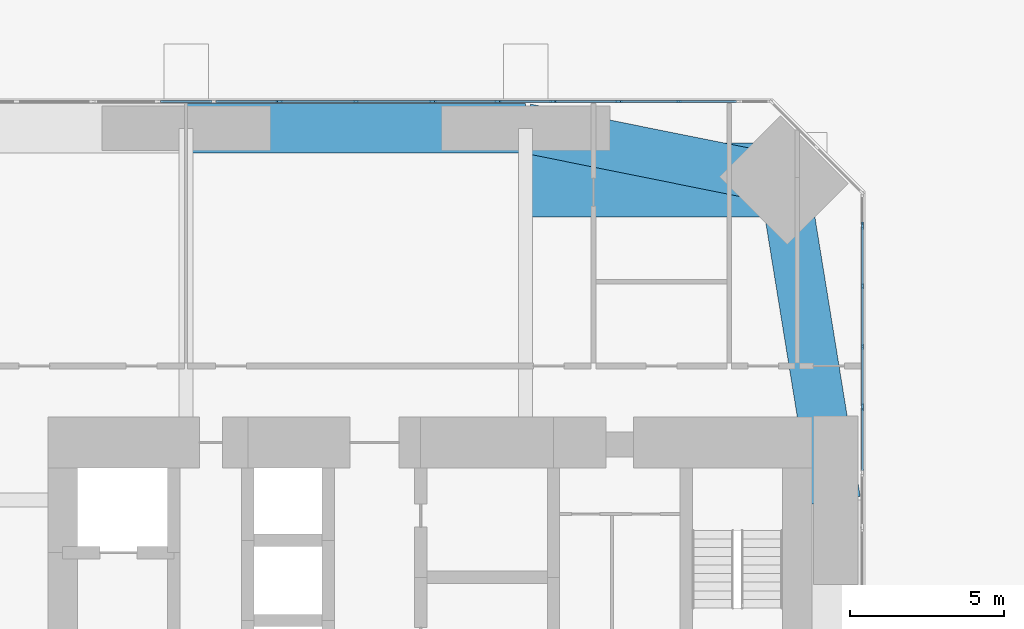
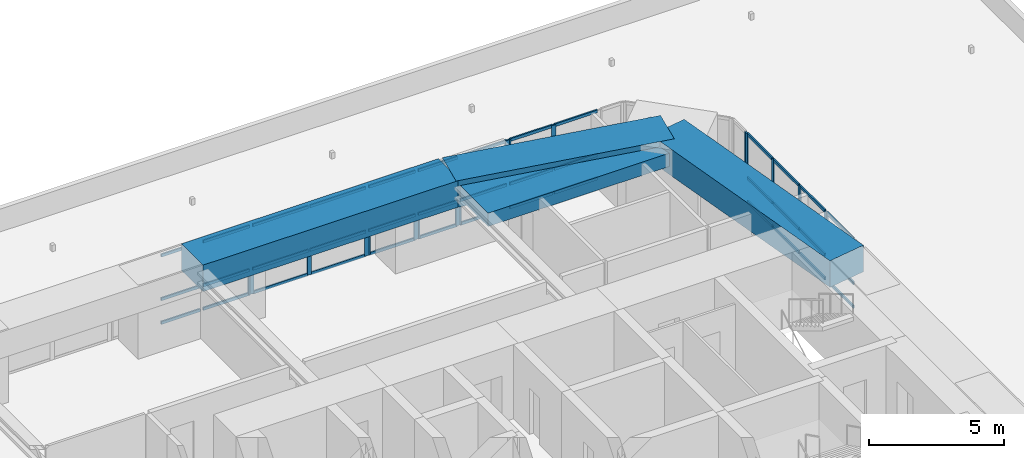
# One storey, part 6 of 20: 57 members, 4 beams, 10 elements without a shape of their own.
"""IFC4 building model written with IfcOpenShell, lengths in metres."""

import ifcopenshell
import ifcopenshell.guid

model = None  # the IFC model being written
_history = None  # IfcOwnerHistory: only IFC2X3 demands one
_inside = {}  # id of a spatial element -> (the spatial element, [elements in it])
_under = {}  # id of a project, library or spatial element -> (it, [spatial elements below it])
_declared = {}  # id of a project -> (the project, [libraries it declares])
_typed = {}  # id of a type object -> (the type object, [elements of that type])
_made_of = {}  # id of a material, layer set ... -> (it, [elements and type objects made of it])


def new_model(schema):
    """Start an empty IFC model of exactly this schema.

    Asked for "IFC4X3", IfcOpenShell would pick the latest addendum, in which some entities
    have other attributes; the version numbers below select the first issue.
    IFC2X3 requires an IfcOwnerHistory on every rooted entity: one is made here for all.
    """
    global model, _history
    if schema == "IFC4X3":
        model = ifcopenshell.file(schema_version=(4, 3, 0, 0))
    else:
        model = ifcopenshell.file(schema=schema)
    _inside.clear()
    _under.clear()
    _declared.clear()
    _typed.clear()
    _made_of.clear()
    _history = None
    if model.schema == "IFC2X3":
        org = make("IfcOrganization", Name="unknown")
        user = make(
            "IfcPersonAndOrganization",
            ThePerson=make("IfcPerson", FamilyName="unknown"),
            TheOrganization=org,
        )
        app = make(
            "IfcApplication",
            ApplicationDeveloper=org,
            Version="unknown",
            ApplicationFullName="unknown",
            ApplicationIdentifier="unknown",
        )
        _history = make(
            "IfcOwnerHistory",
            OwningUser=user,
            OwningApplication=app,
            ChangeAction="ADDED",
            CreationDate=0,
        )
    return model


def make(cls, **values):
    """One entity of the class cls with the attributes given. An attribute that is None is left unset."""
    return model.create_entity(
        cls, **{name: value for name, value in values.items() if value is not None}
    )


def rooted(cls, **values):
    """An entity with a GlobalId (a new one), such as an element, a storey or a relation."""
    return make(cls, GlobalId=ifcopenshell.guid.new(), OwnerHistory=_history, **values)


def si_unit(unit_type, name, prefix=None):
    """IfcSIUnit, for example si_unit("LENGTHUNIT", "METRE", prefix="MILLI")."""
    return make("IfcSIUnit", UnitType=unit_type, Prefix=prefix, Name=name)


def assignment(units):
    """IfcUnitAssignment: the units of a project."""
    return None if units is None else make("IfcUnitAssignment", Units=units)


def point(xyz):
    """IfcCartesianPoint."""
    return None if xyz is None else make("IfcCartesianPoint", Coordinates=xyz)


def direction(xyz):
    """IfcDirection."""
    return None if xyz is None else make("IfcDirection", DirectionRatios=xyz)


def frame(location, z_axis=None, x_axis=None):
    """IfcAxis2Placement3D, a coordinate frame: its origin and axes. An axis left out is left unset."""
    return make(
        "IfcAxis2Placement3D",
        Location=point(location),
        Axis=direction(z_axis),
        RefDirection=direction(x_axis),
    )


def frame_2d(location, x_axis=None):
    """IfcAxis2Placement2D, a coordinate frame in the plane: its origin and x axis."""
    return make(
        "IfcAxis2Placement2D", Location=point(location), RefDirection=direction(x_axis)
    )


def origin():
    """The frame at (0, 0, 0) with its axes left unset."""
    return frame((0.0, 0.0, 0.0))


def origin_2d():
    """The frame at (0, 0) in the plane with its x axis left unset."""
    return frame_2d((0.0, 0.0))


def place(relative_to, where):
    """IfcLocalPlacement: puts the frame where relative to a parent placement (None: the world)."""
    return make(
        "IfcLocalPlacement", PlacementRelTo=relative_to, RelativePlacement=where
    )


def context(
    kind, dimensions, precision=None, world=None, true_north=None, identifier=None
):
    """IfcGeometricRepresentationContext, for example the 3D "Model" context."""
    return make(
        "IfcGeometricRepresentationContext",
        ContextIdentifier=identifier,
        ContextType=kind,
        CoordinateSpaceDimension=dimensions,
        Precision=precision,
        WorldCoordinateSystem=world,
        TrueNorth=true_north,
    )


def subcontext(parent, identifier, kind, view, scale=None):
    """IfcGeometricRepresentationSubContext, for example "Body" below "Model"."""
    return make(
        "IfcGeometricRepresentationSubContext",
        ContextIdentifier=identifier,
        ContextType=kind,
        ParentContext=parent,
        TargetScale=scale,
        TargetView=view,
    )


def project(units=None, contexts=None):
    """IfcProject with its units and contexts."""
    return rooted(
        "IfcProject",
        Name="project",
        RepresentationContexts=contexts,
        UnitsInContext=assignment(units),
    )


def spatial(cls, under=None, at=None, **own):
    """A site, building, storey or space (cls), placed at a placement, below another one or the project."""
    s = rooted(cls, ObjectPlacement=at, **own)
    if under is not None:
        _under.setdefault(under.id(), (under, []))[1].append(s)
    return s


def profile(cls, at=None, kind="AREA", **sizes):
    """A parametric profile (cls). Its sizes go by their IFC names, for example OverallWidth=200.0."""
    return make(cls, ProfileType=kind, Position=at, **sizes)


def rectangle(**sizes):
    """IfcRectangleProfileDef."""
    return profile("IfcRectangleProfileDef", **sizes)


def extrude(swept, where, along, depth):
    """IfcExtrudedAreaSolid: the profile swept, set in the frame where, extruded along a direction by depth."""
    return make(
        "IfcExtrudedAreaSolid",
        SweptArea=swept,
        Position=where,
        ExtrudedDirection=direction(along),
        Depth=depth,
    )


def shape(context_of_items, identifier, shape_type, items):
    """IfcShapeRepresentation: the items that make up one representation, for example the "Body"."""
    return make(
        "IfcShapeRepresentation",
        ContextOfItems=context_of_items,
        RepresentationIdentifier=identifier,
        RepresentationType=shape_type,
        Items=items,
    )


def material(Name=None, Category=None):
    """IfcMaterial."""
    return make("IfcMaterial", Name=Name, Category=Category)


def material_profile(
    of_material, cross_section, Name=None, Category=None, Priority=None
):
    """IfcMaterialProfile: a cross section and its material."""
    return make(
        "IfcMaterialProfile",
        Name=Name,
        Material=of_material,
        Profile=cross_section,
        Priority=Priority,
        Category=Category,
    )


def profile_set(profiles, Name=None, composite=None):
    """IfcMaterialProfileSet."""
    return make(
        "IfcMaterialProfileSet",
        Name=Name,
        MaterialProfiles=profiles,
        CompositeProfile=composite,
    )


def made_of(thing, what):
    """Note that an element or type object is made of a material, layer set ...; save() writes the relation."""
    if what is not None:
        _made_of.setdefault(what.id(), (what, []))[1].append(thing)
    return thing


def type_object(cls, material=None, **own):
    """A type object (cls), such as IfcWallType, which elements share."""
    return made_of(rooted(cls, **own), material)


def element(
    cls,
    number,
    at=None,
    inside=None,
    cuts=None,
    type_object=None,
    material=None,
    context=None,
    identifier="Body",
    shape_type=None,
    held_by="IfcProductDefinitionShape",
    body=None,
    shapes=None,
    **own,
):
    """One element of the class cls, such as IfcWall. Its Tag is "e" and its number.

    at: its placement. inside: the storey or other place that contains it. cuts: it is an
    opening in that element (IfcRelVoidsElement). A single representation is given by context,
    identifier, shape_type and body (its items); several are given by shapes. held_by: the class
    of the entity that holds the representations. save() writes the other relations.
    """
    e = rooted(cls, Tag="e%d" % number, ObjectPlacement=at, **own)
    if body is not None:
        shapes = [shape(context, identifier, shape_type, body)]
    if shapes is not None:
        e.Representation = make(held_by, Representations=shapes)
    if inside is not None:
        _inside.setdefault(inside.id(), (inside, []))[1].append(e)
    if cuts is not None:
        rooted(
            "IfcRelVoidsElement", RelatingBuildingElement=cuts, RelatedOpeningElement=e
        )
    if type_object is not None:
        _typed.setdefault(type_object.id(), (type_object, []))[1].append(e)
    return made_of(e, material)


def aggregate(whole, parts):
    """IfcRelAggregates: a whole, such as a stair, and the parts it consists of."""
    return rooted("IfcRelAggregates", RelatingObject=whole, RelatedObjects=parts)


def save(model, path):
    """Write the relations noted so far, then the file.

    IfcRelAggregates (storeys below a building ...), IfcRelContainedInSpatialStructure (elements
    in a storey), IfcRelDefinesByType, IfcRelAssociatesMaterial and IfcRelDeclares: one each for
    every whole, place, type object, material and project.
    """
    for whole, parts in _under.values():
        aggregate(whole, parts)
    for where, things in _inside.values():
        rooted(
            "IfcRelContainedInSpatialStructure",
            RelatedElements=things,
            RelatingStructure=where,
        )
    for kind, things in _typed.values():
        rooted("IfcRelDefinesByType", RelatedObjects=things, RelatingType=kind)
    for what, things in _made_of.values():
        rooted("IfcRelAssociatesMaterial", RelatedObjects=things, RelatingMaterial=what)
    for by, libraries in _declared.values():
        rooted("IfcRelDeclares", RelatingContext=by, RelatedDefinitions=libraries)
    model.write(path)


model = new_model("IFC4")

# Units and contexts
model_context = context("Model", 3, precision=1e-05, world=origin(), true_north=direction((0.0, 1.0)))
body_context = subcontext(model_context, "Body", "Model", "MODEL_VIEW")
ifc_project = project(units=[si_unit("LENGTHUNIT", "METRE"), si_unit("AREAUNIT", "SQUARE_METRE"), si_unit("VOLUMEUNIT", "CUBIC_METRE"), si_unit("PLANEANGLEUNIT", "RADIAN"), si_unit("MASSUNIT", "GRAM", prefix="KILO")], contexts=[model_context])

# Site, building, storey
site_placement = place(None, origin())
site = spatial("IfcSite", under=ifc_project, at=site_placement, CompositionType="ELEMENT")
building_placement = place(site_placement, origin())
building = spatial("IfcBuilding", under=site, at=building_placement, Name="Jalousie Tower", CompositionType="ELEMENT")
storey_placement = place(building_placement, frame((0.0, 0.0, 21.0)))
storey = spatial("IfcBuildingStorey", under=building, at=storey_placement, Name="L04", CompositionType="ELEMENT", Elevation=21.0)

# Curtain wall, member
ifc_material_1 = material(Name="Aluminium curtain wall", Category="aluminium")
curtain_wall_type_1 = type_object("IfcCurtainWallType", Name="AMENITY SPANDREL WALL", PredefinedType="USERDEFINED", material=ifc_material_1)
curtain_wall_1_placement = place(storey_placement, origin())
curtain_wall_1 = element("IfcCurtainWall", 1, at=curtain_wall_1_placement, inside=storey, type_object=curtain_wall_type_1, Name="Amenity Spandrel Wall L04 29", ObjectType="AMENITY SPANDREL WALL", PredefinedType="USERDEFINED")
ifc_material_2 = material(Name="Aluminium mullion", Category="aluminium")
ifc_material_profile_1 = material_profile(ifc_material_2, rectangle(XDim=0.06494140625, YDim=0.175048828125, at=origin_2d()), Name="MULLION 65x175")
ifc_profile_set_1 = profile_set([ifc_material_profile_1], Name="Aluminium mullion")
member_type_1 = type_object("IfcMemberType", Name="AMENITY SPANDREL WALL MULLION", PredefinedType="MULLION", material=ifc_profile_set_1)
member_1_placement = place(storey_placement, frame((45.91259765625, 27.98193359375, 0.0), z_axis=(0.0, 0.0, 1.0), x_axis=(-1.0, 0.0, 0.0)))
member_1 = element("IfcMember", 2, at=member_1_placement, type_object=member_type_1, Name="CW-AS mullion 2", PredefinedType="MULLION", context=body_context, shape_type="SweptSolid", body=[
    extrude(rectangle(XDim=0.06494140625, YDim=0.175048828125, at=origin_2d()), origin(), (0.0, 0.0, 1.0), 3.110107421875),
])

curtain_wall_2_placement = place(storey_placement, origin())
curtain_wall_2 = element("IfcCurtainWall", 3, at=curtain_wall_2_placement, inside=storey, type_object=curtain_wall_type_1, Name="Amenity Spandrel Wall L04 31", ObjectType="AMENITY SPANDREL WALL", PredefinedType="USERDEFINED")
member_2_placement = place(storey_placement, frame((45.91259765625, 33.927490234375, 0.0), z_axis=(0.0, 0.0, 1.0), x_axis=(-1.0, 0.0, 0.0)))
member_2 = element("IfcMember", 4, at=member_2_placement, type_object=member_type_1, Name="CW-AS mullion 1", PredefinedType="MULLION", context=body_context, shape_type="SweptSolid", body=[
    extrude(rectangle(XDim=0.06494140625, YDim=0.175048828125, at=origin_2d()), origin(), (0.0, 0.0, 1.0), 3.110107421875),
])
aggregate(curtain_wall_2, [member_2])

# Curtain wall, members
curtain_wall_3_placement = place(storey_placement, origin())
curtain_wall_3 = element("IfcCurtainWall", 5, at=curtain_wall_3_placement, inside=storey, type_object=curtain_wall_type_1, Name="Amenity Spandrel Wall L04 43", ObjectType="AMENITY SPANDREL WALL", PredefinedType="USERDEFINED")
member_3_placement = place(storey_placement, frame((37.98193359375, 37.91259765625, 0.0), z_axis=(0.0, 0.0, 1.0), x_axis=(0.0, -1.0, 0.0)))
member_3 = element("IfcMember", 6, at=member_3_placement, type_object=member_type_1, Name="CW-AS mullion 1", PredefinedType="MULLION", context=body_context, shape_type="SweptSolid", body=[
    extrude(rectangle(XDim=0.06494140625, YDim=0.175048828125, at=origin_2d()), origin(), (0.0, 0.0, 1.0), 3.110107421875),
])
member_4_placement = place(storey_placement, frame((35.927490234375, 37.91259765625, 0.0), z_axis=(0.0, 0.0, 1.0), x_axis=(0.0, -1.0, 0.0)))
member_4 = element("IfcMember", 7, at=member_4_placement, type_object=member_type_1, Name="CW-AS mullion 2", PredefinedType="MULLION", context=body_context, shape_type="SweptSolid", body=[
    extrude(rectangle(XDim=0.06494140625, YDim=0.175048828125, at=origin_2d()), origin(), (0.0, 0.0, 1.0), 3.110107421875),
])

curtain_wall_4_placement = place(storey_placement, origin())
curtain_wall_4 = element("IfcCurtainWall", 8, at=curtain_wall_4_placement, inside=storey, type_object=curtain_wall_type_1, Name="Amenity Spandrel Wall L04 45", ObjectType="AMENITY SPANDREL WALL", PredefinedType="USERDEFINED")
member_5_placement = place(storey_placement, frame((34.072509765625, 37.91259765625, 0.0), z_axis=(0.0, 0.0, 1.0), x_axis=(0.0, -1.0, 0.0)))
member_5 = element("IfcMember", 9, at=member_5_placement, type_object=member_type_1, Name="CW-AS mullion 1", PredefinedType="MULLION", context=body_context, shape_type="SweptSolid", body=[
    extrude(rectangle(XDim=0.06494140625, YDim=0.175048828125, at=origin_2d()), origin(), (0.0, 0.0, 1.0), 3.110107421875),
])
member_6_placement = place(storey_placement, frame((32.01806640625, 37.91259765625, 0.0), z_axis=(0.0, 0.0, 1.0), x_axis=(0.0, -1.0, 0.0)))
member_6 = element("IfcMember", 10, at=member_6_placement, type_object=member_type_1, Name="CW-AS mullion 2", PredefinedType="MULLION", context=body_context, shape_type="SweptSolid", body=[
    extrude(rectangle(XDim=0.06494140625, YDim=0.175048828125, at=origin_2d()), origin(), (0.0, 0.0, 1.0), 3.110107421875),
])

# Curtain wall, member
curtain_wall_5_placement = place(storey_placement, origin())
curtain_wall_5 = element("IfcCurtainWall", 11, at=curtain_wall_5_placement, inside=storey, type_object=curtain_wall_type_1, Name="Amenity Spandrel Wall L04 47", ObjectType="AMENITY SPANDREL WALL", PredefinedType="USERDEFINED")
member_7_placement = place(storey_placement, frame((26.98193359375, 37.91259765625, 0.0), z_axis=(0.0, 0.0, 1.0), x_axis=(0.0, -1.0, 0.0)))
member_7 = element("IfcMember", 12, at=member_7_placement, type_object=member_type_1, Name="CW-AS mullion 1", PredefinedType="MULLION", context=body_context, shape_type="SweptSolid", body=[
    extrude(rectangle(XDim=0.06494140625, YDim=0.175048828125, at=origin_2d()), origin(), (0.0, 0.0, 1.0), 3.110107421875),
])

# Member
ifc_material_3 = material(Name="Aluminium transom", Category="aluminium")
ifc_material_profile_2 = material_profile(ifc_material_3, rectangle(XDim=0.06494140625, YDim=0.1298828125, at=origin_2d()), Name="TRANSOM 65x130")
ifc_profile_set_2 = profile_set([ifc_material_profile_2], Name="Aluminium transom")
member_type_2 = type_object("IfcMemberType", Name="AMENITY SPANDREL WALL TRANSOM", PredefinedType="USERDEFINED", material=ifc_profile_set_2)
member_8_placement = place(storey_placement, frame((45.91259765625, 25.960205078125, 0.032470703125), z_axis=(0.0, 1.0, 0.0), x_axis=(-1.0, 0.0, 0.0)))
member_8 = element("IfcMember", 13, at=member_8_placement, type_object=member_type_2, Name="CW-AS transom 1.1", ObjectType="TRANSOM", PredefinedType="USERDEFINED", context=body_context, shape_type="SweptSolid", body=[
    extrude(rectangle(XDim=0.06494140625, YDim=0.1298828125, at=origin_2d()), origin(), (0.0, 0.0, 1.0), 1.9892578125),
])

member_9_placement = place(storey_placement, frame((45.91259765625, 25.960205078125, 1.10009765625), z_axis=(0.0, 1.0, 0.0), x_axis=(-1.0, 0.0, 0.0)))
member_9 = element("IfcMember", 14, at=member_9_placement, type_object=member_type_2, Name="CW-AS transom 1.2", ObjectType="TRANSOM", PredefinedType="USERDEFINED", context=body_context, shape_type="SweptSolid", body=[
    extrude(rectangle(XDim=0.06494140625, YDim=0.1298828125, at=origin_2d()), origin(), (0.0, 0.0, 1.0), 1.9892578125),
])

member_10_placement = place(storey_placement, frame((45.91259765625, 25.960205078125, 3.077392578125), z_axis=(0.0, 1.0, 0.0), x_axis=(-1.0, 0.0, 0.0)))
member_10 = element("IfcMember", 15, at=member_10_placement, type_object=member_type_2, Name="CW-AS transom 1.3", ObjectType="TRANSOM", PredefinedType="USERDEFINED", context=body_context, shape_type="SweptSolid", body=[
    extrude(rectangle(XDim=0.06494140625, YDim=0.1298828125, at=origin_2d()), origin(), (0.0, 0.0, 1.0), 1.9892578125),
])

aggregate(curtain_wall_1, [member_1, member_8, member_9, member_10])

member_11_placement = place(storey_placement, frame((37.949462890625, 37.91259765625, 0.032470703125), z_axis=(-1.0, 0.0, 0.0), x_axis=(0.0, -1.0, 0.0)))
member_11 = element("IfcMember", 16, at=member_11_placement, type_object=member_type_2, Name="CW-AS transom 1.1", ObjectType="TRANSOM", PredefinedType="USERDEFINED", context=body_context, shape_type="SweptSolid", body=[
    extrude(rectangle(XDim=0.06494140625, YDim=0.1298828125, at=origin_2d()), origin(), (0.0, 0.0, 1.0), 1.9892578125),
])

member_12_placement = place(storey_placement, frame((37.949462890625, 37.91259765625, 1.10009765625), z_axis=(-1.0, 0.0, 0.0), x_axis=(0.0, -1.0, 0.0)))
member_12 = element("IfcMember", 17, at=member_12_placement, type_object=member_type_2, Name="CW-AS transom 1.2", ObjectType="TRANSOM", PredefinedType="USERDEFINED", context=body_context, shape_type="SweptSolid", body=[
    extrude(rectangle(XDim=0.06494140625, YDim=0.1298828125, at=origin_2d()), origin(), (0.0, 0.0, 1.0), 1.9892578125),
])

member_13_placement = place(storey_placement, frame((37.949462890625, 37.91259765625, 3.077392578125), z_axis=(-1.0, 0.0, 0.0), x_axis=(0.0, -1.0, 0.0)))
member_13 = element("IfcMember", 18, at=member_13_placement, type_object=member_type_2, Name="CW-AS transom 1.3", ObjectType="TRANSOM", PredefinedType="USERDEFINED", context=body_context, shape_type="SweptSolid", body=[
    extrude(rectangle(XDim=0.06494140625, YDim=0.1298828125, at=origin_2d()), origin(), (0.0, 0.0, 1.0), 1.9892578125),
])

aggregate(curtain_wall_3, [member_3, member_4, member_11, member_12, member_13])

member_14_placement = place(storey_placement, frame((34.039794921875, 37.91259765625, 0.032470703125), z_axis=(-1.0, 0.0, 0.0), x_axis=(0.0, -1.0, 0.0)))
member_14 = element("IfcMember", 19, at=member_14_placement, type_object=member_type_2, Name="CW-AS transom 1.1", ObjectType="TRANSOM", PredefinedType="USERDEFINED", context=body_context, shape_type="SweptSolid", body=[
    extrude(rectangle(XDim=0.06494140625, YDim=0.1298828125, at=origin_2d()), origin(), (0.0, 0.0, 1.0), 1.9892578125),
])

member_15_placement = place(storey_placement, frame((34.039794921875, 37.91259765625, 1.10009765625), z_axis=(-1.0, 0.0, 0.0), x_axis=(0.0, -1.0, 0.0)))
member_15 = element("IfcMember", 20, at=member_15_placement, type_object=member_type_2, Name="CW-AS transom 1.2", ObjectType="TRANSOM", PredefinedType="USERDEFINED", context=body_context, shape_type="SweptSolid", body=[
    extrude(rectangle(XDim=0.06494140625, YDim=0.1298828125, at=origin_2d()), origin(), (0.0, 0.0, 1.0), 1.9892578125),
])

member_16_placement = place(storey_placement, frame((34.039794921875, 37.91259765625, 3.077392578125), z_axis=(-1.0, 0.0, 0.0), x_axis=(0.0, -1.0, 0.0)))
member_16 = element("IfcMember", 21, at=member_16_placement, type_object=member_type_2, Name="CW-AS transom 1.3", ObjectType="TRANSOM", PredefinedType="USERDEFINED", context=body_context, shape_type="SweptSolid", body=[
    extrude(rectangle(XDim=0.06494140625, YDim=0.1298828125, at=origin_2d()), origin(), (0.0, 0.0, 1.0), 1.9892578125),
])

aggregate(curtain_wall_4, [member_5, member_6, member_14, member_15, member_16])

member_17_placement = place(storey_placement, frame((26.949462890625, 37.91259765625, 0.032470703125), z_axis=(-1.0, 0.0, 0.0), x_axis=(0.0, -1.0, 0.0)))
member_17 = element("IfcMember", 22, at=member_17_placement, type_object=member_type_2, Name="CW-AS transom 1.1", ObjectType="TRANSOM", PredefinedType="USERDEFINED", context=body_context, shape_type="SweptSolid", body=[
    extrude(rectangle(XDim=0.06494140625, YDim=0.1298828125, at=origin_2d()), origin(), (0.0, 0.0, 1.0), 1.9892578125),
])

member_18_placement = place(storey_placement, frame((26.949462890625, 37.91259765625, 1.10009765625), z_axis=(-1.0, 0.0, 0.0), x_axis=(0.0, -1.0, 0.0)))
member_18 = element("IfcMember", 23, at=member_18_placement, type_object=member_type_2, Name="CW-AS transom 1.2", ObjectType="TRANSOM", PredefinedType="USERDEFINED", context=body_context, shape_type="SweptSolid", body=[
    extrude(rectangle(XDim=0.06494140625, YDim=0.1298828125, at=origin_2d()), origin(), (0.0, 0.0, 1.0), 1.9892578125),
])

member_19_placement = place(storey_placement, frame((26.949462890625, 37.91259765625, 3.077392578125), z_axis=(-1.0, 0.0, 0.0), x_axis=(0.0, -1.0, 0.0)))
member_19 = element("IfcMember", 24, at=member_19_placement, type_object=member_type_2, Name="CW-AS transom 1.3", ObjectType="TRANSOM", PredefinedType="USERDEFINED", context=body_context, shape_type="SweptSolid", body=[
    extrude(rectangle(XDim=0.06494140625, YDim=0.1298828125, at=origin_2d()), origin(), (0.0, 0.0, 1.0), 1.9892578125),
])

aggregate(curtain_wall_5, [member_7, member_17, member_18, member_19])

# Curtain wall, members
ifc_material_4 = material(Name="Aluminium curtain wall", Category="aluminium")
curtain_wall_type_2 = type_object("IfcCurtainWallType", Name="AMENITY WINDOW WALL", PredefinedType="USERDEFINED", material=ifc_material_4)
curtain_wall_6_placement = place(storey_placement, origin())
curtain_wall_6 = element("IfcCurtainWall", 25, at=curtain_wall_6_placement, inside=storey, type_object=curtain_wall_type_2, Name="Amenity Window Wall L04 30", ObjectType="AMENITY WINDOW WALL", PredefinedType="USERDEFINED")
ifc_material_5 = material(Name="Aluminium mullion", Category="aluminium")
ifc_material_profile_3 = material_profile(ifc_material_5, rectangle(XDim=0.06494140625, YDim=0.175048828125, at=origin_2d()), Name="MULLION 65x175")
ifc_profile_set_3 = profile_set([ifc_material_profile_3], Name="Aluminium mullion")
member_type_3 = type_object("IfcMemberType", Name="AMENITY WINDOW WALL MULLION", PredefinedType="MULLION", material=ifc_profile_set_3)
member_20_placement = place(storey_placement, frame((45.91259765625, 28.047119140625, 0.0), z_axis=(0.0, 0.0, 1.0), x_axis=(-1.0, 0.0, 0.0)))
member_20 = element("IfcMember", 26, at=member_20_placement, type_object=member_type_3, Name="CW-A mullion 1", PredefinedType="MULLION", context=body_context, shape_type="SweptSolid", body=[
    extrude(rectangle(XDim=0.06494140625, YDim=0.175048828125, at=origin_2d()), origin(), (0.0, 0.0, 1.0), 3.110107421875),
])
member_21_placement = place(storey_placement, frame((45.91259765625, 29.974609375, 0.0), z_axis=(0.0, 0.0, 1.0), x_axis=(-1.0, 0.0, 0.0)))
member_21 = element("IfcMember", 27, at=member_21_placement, type_object=member_type_3, Name="CW-A mullion 2", PredefinedType="MULLION", context=body_context, shape_type="SweptSolid", body=[
    extrude(rectangle(XDim=0.06494140625, YDim=0.175048828125, at=origin_2d()), origin(), (0.0, 0.0, 1.0), 3.110107421875),
])
member_22_placement = place(storey_placement, frame((45.91259765625, 31.934814453125, 0.0), z_axis=(0.0, 0.0, 1.0), x_axis=(-1.0, 0.0, 0.0)))
member_22 = element("IfcMember", 28, at=member_22_placement, type_object=member_type_3, Name="CW-A mullion 3", PredefinedType="MULLION", context=body_context, shape_type="SweptSolid", body=[
    extrude(rectangle(XDim=0.06494140625, YDim=0.175048828125, at=origin_2d()), origin(), (0.0, 0.0, 1.0), 3.110107421875),
])
member_23_placement = place(storey_placement, frame((45.91259765625, 33.862548828125, 0.0), z_axis=(0.0, 0.0, 1.0), x_axis=(-1.0, 0.0, 0.0)))
member_23 = element("IfcMember", 29, at=member_23_placement, type_object=member_type_3, Name="CW-A mullion 4", PredefinedType="MULLION", context=body_context, shape_type="SweptSolid", body=[
    extrude(rectangle(XDim=0.06494140625, YDim=0.175048828125, at=origin_2d()), origin(), (0.0, 0.0, 1.0), 3.110107421875),
])

curtain_wall_7_placement = place(storey_placement, origin())
curtain_wall_7 = element("IfcCurtainWall", 30, at=curtain_wall_7_placement, inside=storey, type_object=curtain_wall_type_2, Name="Amenity Window Wall L04 42", ObjectType="AMENITY WINDOW WALL", PredefinedType="USERDEFINED")
member_24_placement = place(storey_placement, frame((39.954833984375, 37.91259765625, 0.0), z_axis=(0.0, 0.0, 1.0), x_axis=(0.0, -1.0, 0.0)))
member_24 = element("IfcMember", 31, at=member_24_placement, type_object=member_type_3, Name="CW-A mullion 2", PredefinedType="MULLION", context=body_context, shape_type="SweptSolid", body=[
    extrude(rectangle(XDim=0.06494140625, YDim=0.175048828125, at=origin_2d()), origin(), (0.0, 0.0, 1.0), 3.110107421875),
])
member_25_placement = place(storey_placement, frame((38.047119140625, 37.91259765625, 0.0), z_axis=(0.0, 0.0, 1.0), x_axis=(0.0, -1.0, 0.0)))
member_25 = element("IfcMember", 32, at=member_25_placement, type_object=member_type_3, Name="CW-A mullion 3", PredefinedType="MULLION", context=body_context, shape_type="SweptSolid", body=[
    extrude(rectangle(XDim=0.06494140625, YDim=0.175048828125, at=origin_2d()), origin(), (0.0, 0.0, 1.0), 3.110107421875),
])

curtain_wall_8_placement = place(storey_placement, origin())
curtain_wall_8 = element("IfcCurtainWall", 33, at=curtain_wall_8_placement, inside=storey, type_object=curtain_wall_type_2, Name="Amenity Window Wall L04 44", ObjectType="AMENITY WINDOW WALL", PredefinedType="USERDEFINED")
member_26_placement = place(storey_placement, frame((35.862548828125, 37.91259765625, 0.0), z_axis=(0.0, 0.0, 1.0), x_axis=(0.0, -1.0, 0.0)))
member_26 = element("IfcMember", 34, at=member_26_placement, type_object=member_type_3, Name="CW-A mullion 1", PredefinedType="MULLION", context=body_context, shape_type="SweptSolid", body=[
    extrude(rectangle(XDim=0.06494140625, YDim=0.175048828125, at=origin_2d()), origin(), (0.0, 0.0, 1.0), 3.110107421875),
])
member_27_placement = place(storey_placement, frame((34.137451171875, 37.91259765625, 0.0), z_axis=(0.0, 0.0, 1.0), x_axis=(0.0, -1.0, 0.0)))
member_27 = element("IfcMember", 35, at=member_27_placement, type_object=member_type_3, Name="CW-A mullion 2", PredefinedType="MULLION", context=body_context, shape_type="SweptSolid", body=[
    extrude(rectangle(XDim=0.06494140625, YDim=0.175048828125, at=origin_2d()), origin(), (0.0, 0.0, 1.0), 3.110107421875),
])

curtain_wall_9_placement = place(storey_placement, origin())
curtain_wall_9 = element("IfcCurtainWall", 36, at=curtain_wall_9_placement, inside=storey, type_object=curtain_wall_type_2, Name="Amenity Window Wall L04 46", ObjectType="AMENITY WINDOW WALL", PredefinedType="USERDEFINED")
member_28_placement = place(storey_placement, frame((31.952880859375, 37.91259765625, 0.0), z_axis=(0.0, 0.0, 1.0), x_axis=(0.0, -1.0, 0.0)))
member_28 = element("IfcMember", 37, at=member_28_placement, type_object=member_type_3, Name="CW-A mullion 1", PredefinedType="MULLION", context=body_context, shape_type="SweptSolid", body=[
    extrude(rectangle(XDim=0.06494140625, YDim=0.175048828125, at=origin_2d()), origin(), (0.0, 0.0, 1.0), 3.110107421875),
])
member_29_placement = place(storey_placement, frame((29.5, 37.91259765625, 0.0), z_axis=(0.0, 0.0, 1.0), x_axis=(0.0, -1.0, 0.0)))
member_29 = element("IfcMember", 38, at=member_29_placement, type_object=member_type_3, Name="CW-A mullion 2", PredefinedType="MULLION", context=body_context, shape_type="SweptSolid", body=[
    extrude(rectangle(XDim=0.06494140625, YDim=0.175048828125, at=origin_2d()), origin(), (0.0, 0.0, 1.0), 3.110107421875),
])
member_30_placement = place(storey_placement, frame((27.047119140625, 37.91259765625, 0.0), z_axis=(0.0, 0.0, 1.0), x_axis=(0.0, -1.0, 0.0)))
member_30 = element("IfcMember", 39, at=member_30_placement, type_object=member_type_3, Name="CW-A mullion 3", PredefinedType="MULLION", context=body_context, shape_type="SweptSolid", body=[
    extrude(rectangle(XDim=0.06494140625, YDim=0.175048828125, at=origin_2d()), origin(), (0.0, 0.0, 1.0), 3.110107421875),
])

# Member
ifc_material_6 = material(Name="Aluminium transom", Category="aluminium")
ifc_material_profile_4 = material_profile(ifc_material_6, rectangle(XDim=0.06494140625, YDim=0.1298828125, at=origin_2d()), Name="TRANSOM 65x130")
ifc_profile_set_4 = profile_set([ifc_material_profile_4], Name="Aluminium transom")
member_type_4 = type_object("IfcMemberType", Name="AMENITY WINDOW WALL TRANSOM", PredefinedType="USERDEFINED", material=ifc_profile_set_4)
member_31_placement = place(storey_placement, frame((45.91259765625, 28.07958984375, 0.032470703125), z_axis=(0.0, 1.0, 0.0), x_axis=(-1.0, 0.0, 0.0)))
member_31 = element("IfcMember", 40, at=member_31_placement, type_object=member_type_4, Name="CW-A transom 1.1", ObjectType="TRANSOM", PredefinedType="USERDEFINED", context=body_context, shape_type="SweptSolid", body=[
    extrude(rectangle(XDim=0.06494140625, YDim=0.1298828125, at=origin_2d()), origin(), (0.0, 0.0, 1.0), 1.862548828125),
])

member_32_placement = place(storey_placement, frame((45.91259765625, 28.07958984375, 1.10009765625), z_axis=(0.0, 1.0, 0.0), x_axis=(-1.0, 0.0, 0.0)))
member_32 = element("IfcMember", 41, at=member_32_placement, type_object=member_type_4, Name="CW-A transom 1.2", ObjectType="TRANSOM", PredefinedType="USERDEFINED", context=body_context, shape_type="SweptSolid", body=[
    extrude(rectangle(XDim=0.06494140625, YDim=0.1298828125, at=origin_2d()), origin(), (0.0, 0.0, 1.0), 1.862548828125),
])

member_33_placement = place(storey_placement, frame((45.91259765625, 28.07958984375, 3.077392578125), z_axis=(0.0, 1.0, 0.0), x_axis=(-1.0, 0.0, 0.0)))
member_33 = element("IfcMember", 42, at=member_33_placement, type_object=member_type_4, Name="CW-A transom 1.3", ObjectType="TRANSOM", PredefinedType="USERDEFINED", context=body_context, shape_type="SweptSolid", body=[
    extrude(rectangle(XDim=0.06494140625, YDim=0.1298828125, at=origin_2d()), origin(), (0.0, 0.0, 1.0), 1.862548828125),
])

member_34_placement = place(storey_placement, frame((45.91259765625, 30.007080078125, 0.032470703125), z_axis=(0.0, 1.0, 0.0), x_axis=(-1.0, 0.0, 0.0)))
member_34 = element("IfcMember", 43, at=member_34_placement, type_object=member_type_4, Name="CW-A transom 2.1", ObjectType="TRANSOM", PredefinedType="USERDEFINED", context=body_context, shape_type="SweptSolid", body=[
    extrude(rectangle(XDim=0.06494140625, YDim=0.1298828125, at=origin_2d()), origin(), (0.0, 0.0, 1.0), 1.895263671875),
])

member_35_placement = place(storey_placement, frame((45.91259765625, 30.007080078125, 1.10009765625), z_axis=(0.0, 1.0, 0.0), x_axis=(-1.0, 0.0, 0.0)))
member_35 = element("IfcMember", 44, at=member_35_placement, type_object=member_type_4, Name="CW-A transom 2.2", ObjectType="TRANSOM", PredefinedType="USERDEFINED", context=body_context, shape_type="SweptSolid", body=[
    extrude(rectangle(XDim=0.06494140625, YDim=0.1298828125, at=origin_2d()), origin(), (0.0, 0.0, 1.0), 1.895263671875),
])

member_36_placement = place(storey_placement, frame((45.91259765625, 30.007080078125, 3.077392578125), z_axis=(0.0, 1.0, 0.0), x_axis=(-1.0, 0.0, 0.0)))
member_36 = element("IfcMember", 45, at=member_36_placement, type_object=member_type_4, Name="CW-A transom 2.3", ObjectType="TRANSOM", PredefinedType="USERDEFINED", context=body_context, shape_type="SweptSolid", body=[
    extrude(rectangle(XDim=0.06494140625, YDim=0.1298828125, at=origin_2d()), origin(), (0.0, 0.0, 1.0), 1.895263671875),
])

member_37_placement = place(storey_placement, frame((45.91259765625, 31.96728515625, 0.032470703125), z_axis=(0.0, 1.0, 0.0), x_axis=(-1.0, 0.0, 0.0)))
member_37 = element("IfcMember", 46, at=member_37_placement, type_object=member_type_4, Name="CW-A transom 3.1", ObjectType="TRANSOM", PredefinedType="USERDEFINED", context=body_context, shape_type="SweptSolid", body=[
    extrude(rectangle(XDim=0.06494140625, YDim=0.1298828125, at=origin_2d()), origin(), (0.0, 0.0, 1.0), 1.86279296875),
])

member_38_placement = place(storey_placement, frame((45.91259765625, 31.96728515625, 1.10009765625), z_axis=(0.0, 1.0, 0.0), x_axis=(-1.0, 0.0, 0.0)))
member_38 = element("IfcMember", 47, at=member_38_placement, type_object=member_type_4, Name="CW-A transom 3.2", ObjectType="TRANSOM", PredefinedType="USERDEFINED", context=body_context, shape_type="SweptSolid", body=[
    extrude(rectangle(XDim=0.06494140625, YDim=0.1298828125, at=origin_2d()), origin(), (0.0, 0.0, 1.0), 1.86279296875),
])

member_39_placement = place(storey_placement, frame((45.91259765625, 31.96728515625, 3.077392578125), z_axis=(0.0, 1.0, 0.0), x_axis=(-1.0, 0.0, 0.0)))
member_39 = element("IfcMember", 48, at=member_39_placement, type_object=member_type_4, Name="CW-A transom 3.3", ObjectType="TRANSOM", PredefinedType="USERDEFINED", context=body_context, shape_type="SweptSolid", body=[
    extrude(rectangle(XDim=0.06494140625, YDim=0.1298828125, at=origin_2d()), origin(), (0.0, 0.0, 1.0), 1.86279296875),
])

aggregate(curtain_wall_6, [member_20, member_21, member_22, member_23, member_31, member_32, member_33, member_34, member_35, member_36, member_37, member_38, member_39])

member_40_placement = place(storey_placement, frame((41.830078125, 37.91259765625, 0.032470703125), z_axis=(-1.0, 0.0, 0.0), x_axis=(0.0, -1.0, 0.0)))
member_40 = element("IfcMember", 49, at=member_40_placement, type_object=member_type_4, Name="CW-A transom 1.1", ObjectType="TRANSOM", PredefinedType="USERDEFINED", context=body_context, shape_type="SweptSolid", body=[
    extrude(rectangle(XDim=0.06494140625, YDim=0.1298828125, at=origin_2d()), origin(), (0.0, 0.0, 1.0), 1.8427734375),
])

member_41_placement = place(storey_placement, frame((41.830078125, 37.91259765625, 1.10009765625), z_axis=(-1.0, 0.0, 0.0), x_axis=(0.0, -1.0, 0.0)))
member_41 = element("IfcMember", 50, at=member_41_placement, type_object=member_type_4, Name="CW-A transom 1.2", ObjectType="TRANSOM", PredefinedType="USERDEFINED", context=body_context, shape_type="SweptSolid", body=[
    extrude(rectangle(XDim=0.06494140625, YDim=0.1298828125, at=origin_2d()), origin(), (0.0, 0.0, 1.0), 1.8427734375),
])

member_42_placement = place(storey_placement, frame((41.830078125, 37.91259765625, 3.077392578125), z_axis=(-1.0, 0.0, 0.0), x_axis=(0.0, -1.0, 0.0)))
member_42 = element("IfcMember", 51, at=member_42_placement, type_object=member_type_4, Name="CW-A transom 1.3", ObjectType="TRANSOM", PredefinedType="USERDEFINED", context=body_context, shape_type="SweptSolid", body=[
    extrude(rectangle(XDim=0.06494140625, YDim=0.1298828125, at=origin_2d()), origin(), (0.0, 0.0, 1.0), 1.8427734375),
])

member_43_placement = place(storey_placement, frame((39.92236328125, 37.91259765625, 0.032470703125), z_axis=(-1.0, 0.0, 0.0), x_axis=(0.0, -1.0, 0.0)))
member_43 = element("IfcMember", 52, at=member_43_placement, type_object=member_type_4, Name="CW-A transom 2.1", ObjectType="TRANSOM", PredefinedType="USERDEFINED", context=body_context, shape_type="SweptSolid", body=[
    extrude(rectangle(XDim=0.06494140625, YDim=0.1298828125, at=origin_2d()), origin(), (0.0, 0.0, 1.0), 1.8427734375),
])

member_44_placement = place(storey_placement, frame((39.92236328125, 37.91259765625, 1.10009765625), z_axis=(-1.0, 0.0, 0.0), x_axis=(0.0, -1.0, 0.0)))
member_44 = element("IfcMember", 53, at=member_44_placement, type_object=member_type_4, Name="CW-A transom 2.2", ObjectType="TRANSOM", PredefinedType="USERDEFINED", context=body_context, shape_type="SweptSolid", body=[
    extrude(rectangle(XDim=0.06494140625, YDim=0.1298828125, at=origin_2d()), origin(), (0.0, 0.0, 1.0), 1.8427734375),
])

member_45_placement = place(storey_placement, frame((39.92236328125, 37.91259765625, 3.077392578125), z_axis=(-1.0, 0.0, 0.0), x_axis=(0.0, -1.0, 0.0)))
member_45 = element("IfcMember", 54, at=member_45_placement, type_object=member_type_4, Name="CW-A transom 2.3", ObjectType="TRANSOM", PredefinedType="USERDEFINED", context=body_context, shape_type="SweptSolid", body=[
    extrude(rectangle(XDim=0.06494140625, YDim=0.1298828125, at=origin_2d()), origin(), (0.0, 0.0, 1.0), 1.8427734375),
])

aggregate(curtain_wall_7, [member_24, member_25, member_40, member_41, member_42, member_43, member_44, member_45])

member_46_placement = place(storey_placement, frame((35.830078125, 37.91259765625, 0.032470703125), z_axis=(-1.0, 0.0, 0.0), x_axis=(0.0, -1.0, 0.0)))
member_46 = element("IfcMember", 55, at=member_46_placement, type_object=member_type_4, Name="CW-A transom 1.1", ObjectType="TRANSOM", PredefinedType="USERDEFINED", context=body_context, shape_type="SweptSolid", body=[
    extrude(rectangle(XDim=0.06494140625, YDim=0.1298828125, at=origin_2d()), origin(), (0.0, 0.0, 1.0), 1.66015625),
])

member_47_placement = place(storey_placement, frame((35.830078125, 37.91259765625, 1.10009765625), z_axis=(-1.0, 0.0, 0.0), x_axis=(0.0, -1.0, 0.0)))
member_47 = element("IfcMember", 56, at=member_47_placement, type_object=member_type_4, Name="CW-A transom 1.2", ObjectType="TRANSOM", PredefinedType="USERDEFINED", context=body_context, shape_type="SweptSolid", body=[
    extrude(rectangle(XDim=0.06494140625, YDim=0.1298828125, at=origin_2d()), origin(), (0.0, 0.0, 1.0), 1.66015625),
])

member_48_placement = place(storey_placement, frame((35.830078125, 37.91259765625, 3.077392578125), z_axis=(-1.0, 0.0, 0.0), x_axis=(0.0, -1.0, 0.0)))
member_48 = element("IfcMember", 57, at=member_48_placement, type_object=member_type_4, Name="CW-A transom 1.3", ObjectType="TRANSOM", PredefinedType="USERDEFINED", context=body_context, shape_type="SweptSolid", body=[
    extrude(rectangle(XDim=0.06494140625, YDim=0.1298828125, at=origin_2d()), origin(), (0.0, 0.0, 1.0), 1.66015625),
])

aggregate(curtain_wall_8, [member_26, member_27, member_46, member_47, member_48])

member_49_placement = place(storey_placement, frame((31.92041015625, 37.91259765625, 0.032470703125), z_axis=(-1.0, 0.0, 0.0), x_axis=(0.0, -1.0, 0.0)))
member_49 = element("IfcMember", 58, at=member_49_placement, type_object=member_type_4, Name="CW-A transom 1.1", ObjectType="TRANSOM", PredefinedType="USERDEFINED", context=body_context, shape_type="SweptSolid", body=[
    extrude(rectangle(XDim=0.06494140625, YDim=0.1298828125, at=origin_2d()), origin(), (0.0, 0.0, 1.0), 2.387939453125),
])

member_50_placement = place(storey_placement, frame((31.92041015625, 37.91259765625, 1.10009765625), z_axis=(-1.0, 0.0, 0.0), x_axis=(0.0, -1.0, 0.0)))
member_50 = element("IfcMember", 59, at=member_50_placement, type_object=member_type_4, Name="CW-A transom 1.2", ObjectType="TRANSOM", PredefinedType="USERDEFINED", context=body_context, shape_type="SweptSolid", body=[
    extrude(rectangle(XDim=0.06494140625, YDim=0.1298828125, at=origin_2d()), origin(), (0.0, 0.0, 1.0), 2.387939453125),
])

member_51_placement = place(storey_placement, frame((31.92041015625, 37.91259765625, 3.077392578125), z_axis=(-1.0, 0.0, 0.0), x_axis=(0.0, -1.0, 0.0)))
member_51 = element("IfcMember", 60, at=member_51_placement, type_object=member_type_4, Name="CW-A transom 1.3", ObjectType="TRANSOM", PredefinedType="USERDEFINED", context=body_context, shape_type="SweptSolid", body=[
    extrude(rectangle(XDim=0.06494140625, YDim=0.1298828125, at=origin_2d()), origin(), (0.0, 0.0, 1.0), 2.387939453125),
])

member_52_placement = place(storey_placement, frame((29.467529296875, 37.91259765625, 0.032470703125), z_axis=(-1.0, 0.0, 0.0), x_axis=(0.0, -1.0, 0.0)))
member_52 = element("IfcMember", 61, at=member_52_placement, type_object=member_type_4, Name="CW-A transom 2.1", ObjectType="TRANSOM", PredefinedType="USERDEFINED", context=body_context, shape_type="SweptSolid", body=[
    extrude(rectangle(XDim=0.06494140625, YDim=0.1298828125, at=origin_2d()), origin(), (0.0, 0.0, 1.0), 2.387939453125),
])

member_53_placement = place(storey_placement, frame((29.467529296875, 37.91259765625, 1.10009765625), z_axis=(-1.0, 0.0, 0.0), x_axis=(0.0, -1.0, 0.0)))
member_53 = element("IfcMember", 62, at=member_53_placement, type_object=member_type_4, Name="CW-A transom 2.2", ObjectType="TRANSOM", PredefinedType="USERDEFINED", context=body_context, shape_type="SweptSolid", body=[
    extrude(rectangle(XDim=0.06494140625, YDim=0.1298828125, at=origin_2d()), origin(), (0.0, 0.0, 1.0), 2.387939453125),
])

member_54_placement = place(storey_placement, frame((29.467529296875, 37.91259765625, 3.077392578125), z_axis=(-1.0, 0.0, 0.0), x_axis=(0.0, -1.0, 0.0)))
member_54 = element("IfcMember", 63, at=member_54_placement, type_object=member_type_4, Name="CW-A transom 2.3", ObjectType="TRANSOM", PredefinedType="USERDEFINED", context=body_context, shape_type="SweptSolid", body=[
    extrude(rectangle(XDim=0.06494140625, YDim=0.1298828125, at=origin_2d()), origin(), (0.0, 0.0, 1.0), 2.387939453125),
])

aggregate(curtain_wall_9, [member_28, member_29, member_30, member_49, member_50, member_51, member_52, member_53, member_54])

# Curtain wall, members
curtain_wall_10_placement = place(storey_placement, origin())
curtain_wall_10 = element("IfcCurtainWall", 64, at=curtain_wall_10_placement, inside=storey, type_object=curtain_wall_type_2, Name="Amenity Window Wall L04 48", ObjectType="AMENITY WINDOW WALL", PredefinedType="USERDEFINED")
member_55_placement = place(storey_placement, frame((24.830078125, 37.91259765625, 0.032470703125), z_axis=(-1.0, 0.0, 0.0), x_axis=(0.0, -1.0, 0.0)))
member_55 = element("IfcMember", 65, at=member_55_placement, type_object=member_type_4, Name="CW-A transom 1.1", ObjectType="TRANSOM", PredefinedType="USERDEFINED", context=body_context, shape_type="SweptSolid", body=[
    extrude(rectangle(XDim=0.06494140625, YDim=0.1298828125, at=origin_2d()), origin(), (0.0, 0.0, 1.0), 1.66015625),
])
member_56_placement = place(storey_placement, frame((24.830078125, 37.91259765625, 1.10009765625), z_axis=(-1.0, 0.0, 0.0), x_axis=(0.0, -1.0, 0.0)))
member_56 = element("IfcMember", 66, at=member_56_placement, type_object=member_type_4, Name="CW-A transom 1.2", ObjectType="TRANSOM", PredefinedType="USERDEFINED", context=body_context, shape_type="SweptSolid", body=[
    extrude(rectangle(XDim=0.06494140625, YDim=0.1298828125, at=origin_2d()), origin(), (0.0, 0.0, 1.0), 1.66015625),
])
member_57_placement = place(storey_placement, frame((24.830078125, 37.91259765625, 3.077392578125), z_axis=(-1.0, 0.0, 0.0), x_axis=(0.0, -1.0, 0.0)))
member_57 = element("IfcMember", 67, at=member_57_placement, type_object=member_type_4, Name="CW-A transom 1.3", ObjectType="TRANSOM", PredefinedType="USERDEFINED", context=body_context, shape_type="SweptSolid", body=[
    extrude(rectangle(XDim=0.06494140625, YDim=0.1298828125, at=origin_2d()), origin(), (0.0, 0.0, 1.0), 1.66015625),
])
aggregate(curtain_wall_10, [member_55, member_56, member_57])

# Beams
ifc_material_7 = material(Name="Concrete f'c 40 MPa", Category="concrete")
ifc_material_profile_5 = material_profile(ifc_material_7, rectangle(XDim=1.60009765625, YDim=1.199951171875, at=origin_2d()), Name="RC 1600x1200")
ifc_profile_set_5 = profile_set([ifc_material_profile_5], Name="Concrete f'c 40 MPa")
beam_type_1 = type_object("IfcBeamType", Name="RC BEAM 1600x1200", PredefinedType="BEAM", material=ifc_profile_set_5)
beam_1_placement = place(storey_placement, frame((45.050048828125, 25.0, 2.75), z_axis=(-0.160070546476, 0.987105577003, 0.0), x_axis=(-0.987105577003, -0.160070546476, 0.0)))
element("IfcBeam", 68, at=beam_1_placement, inside=storey, type_object=beam_type_1, Name="Edge band beam 07-08 under L05", PredefinedType="BEAM", context=body_context, shape_type="SweptSolid", body=[
    extrude(rectangle(XDim=1.60009765625, YDim=1.199951171875, at=origin_2d()), origin(), (0.0, 0.0, 1.0), 10.504150390625),
])
beam_2_placement = place(storey_placement, frame((43.36865234375, 35.36865234375, 2.75), z_axis=(-0.980407585444, 0.196979609107, 0.0), x_axis=(-0.196979609107, -0.980407585444, 0.0)))
element("IfcBeam", 69, at=beam_2_placement, inside=storey, type_object=beam_type_1, Name="Edge band beam 08-09 under L05", PredefinedType="BEAM", context=body_context, shape_type="SweptSolid", body=[
    extrude(rectangle(XDim=1.60009765625, YDim=1.199951171875, at=origin_2d()), origin(), (0.0, 0.0, 1.0), 8.535888671875),
])
beam_3_placement = place(storey_placement, frame((35.0, 37.050048828125, 2.75), z_axis=(-1.0, 0.0, 0.0), x_axis=(0.0, -1.0, 0.0)))
element("IfcBeam", 70, at=beam_3_placement, inside=storey, type_object=beam_type_1, Name="Edge band beam 09-10 under L05", PredefinedType="BEAM", context=body_context, shape_type="SweptSolid", body=[
    extrude(rectangle(XDim=1.60009765625, YDim=1.199951171875, at=origin_2d()), origin(), (0.0, 0.0, 1.0), 11.0),
])
ifc_material_8 = material(Name="Concrete f'c 40 MPa", Category="concrete")
ifc_material_profile_6 = material_profile(ifc_material_8, rectangle(XDim=2.39990234375, YDim=0.60009765625, at=origin_2d()), Name="RC 2400x600")
ifc_profile_set_6 = profile_set([ifc_material_profile_6], Name="Concrete f'c 40 MPa")
beam_type_2 = type_object("IfcBeamType", Name="RC BEAM 2400x600", PredefinedType="BEAM", material=ifc_profile_set_6)
beam_4_placement = place(storey_placement, frame((43.36865234375, 35.36865234375, 2.81005859375), z_axis=(-1.0, 0.0, 0.0), x_axis=(0.0, -1.0, 0.0)))
element("IfcBeam", 71, at=beam_4_placement, inside=storey, type_object=beam_type_2, Name="Floor band beam under L05", PredefinedType="BEAM", context=body_context, shape_type="SweptSolid", body=[
    extrude(rectangle(XDim=2.39990234375, YDim=0.60009765625, at=origin_2d()), origin(), (0.0, 0.0, 1.0), 8.36865234375),
])

save(model, "model.ifc")
